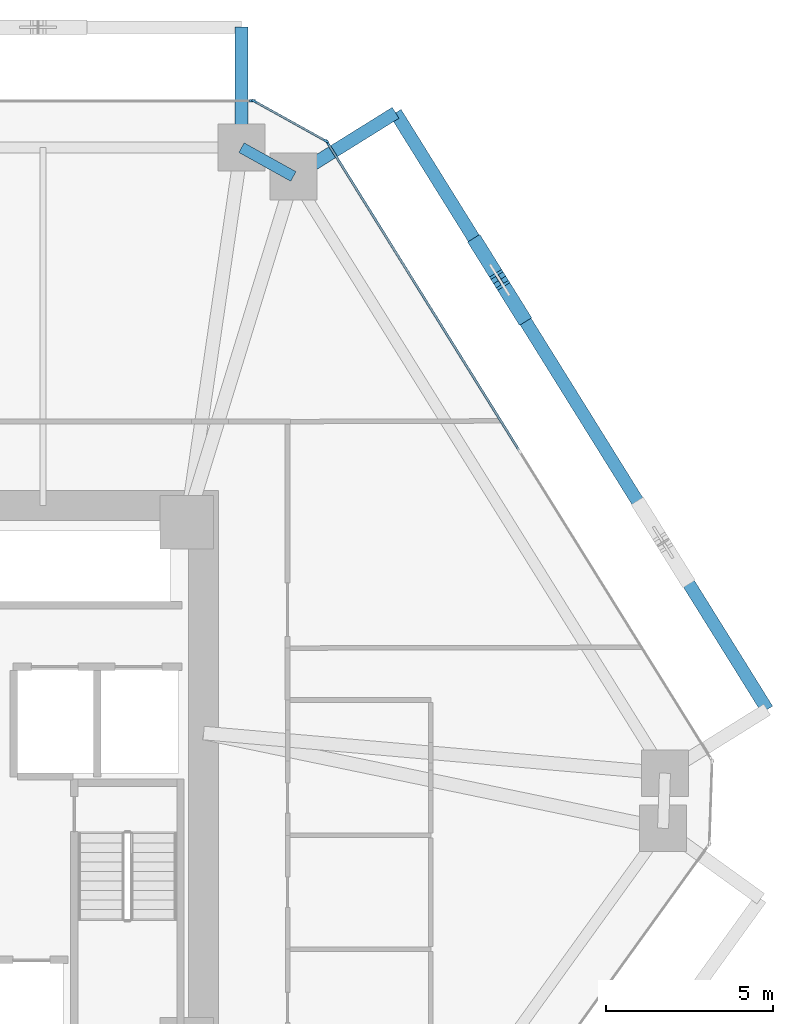
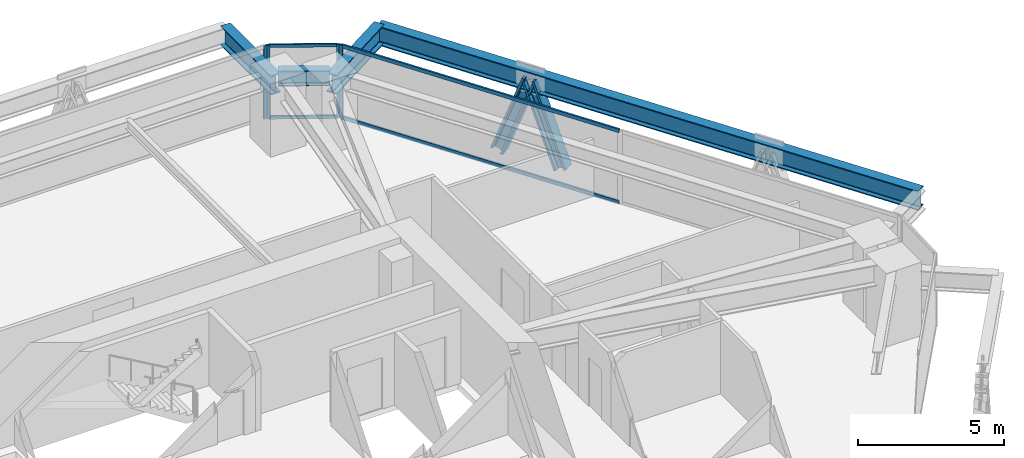
# One storey, part 9 of 16: 10 members, 4 beams, 3 elements without a shape of their own.
"""IFC4 building model written with IfcOpenShell, lengths in metres."""

from ifc_helpers import new_model, si_unit, direction, frame, origin, origin_2d, place, context, subcontext, project, spatial, rectangle, i_section, extrude, source, transform, mapped, material, layer, layer_set, material_profile, profile_set, type_object, type_shapes, element, aggregate, save


model = new_model("IFC4")

# Units and contexts
model_context = context("Model", 3, precision=1e-05, world=origin(), true_north=direction((0.0, 1.0)))
body_context = subcontext(model_context, "Body", "Model", "MODEL_VIEW")
ifc_project = project(units=[si_unit("LENGTHUNIT", "METRE"), si_unit("AREAUNIT", "SQUARE_METRE"), si_unit("VOLUMEUNIT", "CUBIC_METRE"), si_unit("PLANEANGLEUNIT", "RADIAN"), si_unit("MASSUNIT", "GRAM", prefix="KILO")], contexts=[model_context])

# Site, building, storey
site_placement = place(None, origin())
site = spatial("IfcSite", under=ifc_project, at=site_placement, CompositionType="ELEMENT")
building_placement = place(site_placement, origin())
building = spatial("IfcBuilding", under=site, at=building_placement, Name="Durnholm Broadcast Tower", CompositionType="ELEMENT")
storey_placement = place(building_placement, frame((0.0, 0.0, 65.39990234375)))
storey = spatial("IfcBuildingStorey", under=building, at=storey_placement, Name="L16", CompositionType="ELEMENT", Elevation=65.39990234375)

# Beams
ifc_material_1 = material(Name="Steel ASTM A992 Grade 50", Category="steel")
ifc_material_profile_1 = material_profile(ifc_material_1, i_section(OverallWidth=0.3291015625, OverallDepth=0.635009765625, WebThickness=0.017822265625, FlangeThickness=0.031005859375, FilletRadius=0.02783203125, at=origin_2d()), Name="W24X162")
ifc_profile_set_1 = profile_set([ifc_material_profile_1], Name="Steel ASTM A992 Grade 50")
beam_type_1 = type_object("IfcBeamType", Name="STL-SP-W24X162", PredefinedType="SPANDREL", material=ifc_profile_set_1)
shared_shape_1 = source(origin(), body_context, "Body", "SweptSolid", [
    extrude(i_section(OverallWidth=0.3291015625, OverallDepth=0.635009765625, WebThickness=0.017822265625, FlangeThickness=0.031005859375, FilletRadius=0.02783203125, at=origin_2d()), origin(), (0.0, 0.0, 1.0), 1.774658203125),
])
type_shapes(beam_type_1, [shared_shape_1])
beam_1_placement = place(storey_placement, frame((11.43115234375, 19.0, 2.7275390625), z_axis=(0.874248107979, -0.485479397806, 0.0), x_axis=(0.485479397806, 0.874248107979, 0.0)))
element("IfcBeam", 1, at=beam_1_placement, inside=storey, type_object=beam_type_1, Name="L16 perimeter spandrel girder 06", PredefinedType="SPANDREL", context=body_context, shape_type="MappedRepresentation", body=[
    mapped(shared_shape_1, transform((0.0, 0.0, 0.0), x_axis=(1.0, 0.0, 0.0), y_axis=(0.0, 1.0, 0.0), z_axis=(0.0, 0.0, 1.0), scale=1.0)),
])
ifc_material_profile_2 = material_profile(ifc_material_1, i_section(OverallWidth=0.385009765625, OverallDepth=0.802978515625, WebThickness=0.023681640625, FlangeThickness=0.0419921875, FilletRadius=0.032958984375, at=origin_2d()), Name="W30X261")
ifc_profile_set_2 = profile_set([ifc_material_profile_2], Name="Steel ASTM A992 Grade 50")
beam_type_2 = type_object("IfcBeamType", Name="BM-EXO-TIE", PredefinedType="USERDEFINED", material=ifc_profile_set_2)
shared_shape_2 = source(origin(), body_context, "Body", "SweptSolid", [
    extrude(i_section(OverallWidth=0.385009765625, OverallDepth=0.802978515625, WebThickness=0.023681640625, FlangeThickness=0.0419921875, FilletRadius=0.032958984375, at=origin_2d()), origin(), (0.0, 0.0, 1.0), 3.4560546875),
])
for number, where, z_axis, x_axis, name in (
    (2, (13.10498046875, 18.214599609375, 2.30859375), (0.848854443891, 0.528626648105, 0.0), (-0.528626648105, 0.848854443891, 0.0), "L16 exoskeleton stand-off tie bracket F3.2"),
    (3, (11.43115234375, 19.14404296875, 2.30859375), (0.0, 1.0, 0.0), (-1.0, 0.0, 0.0), "L16 exoskeleton stand-off tie bracket F4.1"),
):
    element("IfcBeam", number, at=place(storey_placement, frame(where, z_axis=z_axis, x_axis=x_axis)), inside=storey, type_object=beam_type_2, Name=name, ObjectType="GIRDER", PredefinedType="USERDEFINED", context=body_context, shape_type="MappedRepresentation", body=[
        mapped(shared_shape_2, transform((0.0, 0.0, 0.0), x_axis=(1.0, 0.0, 0.0), y_axis=(0.0, 1.0, 0.0), z_axis=(0.0, 0.0, 1.0), scale=1.0)),
    ])
shared_shape_3 = source(origin(), body_context, "Body", "SweptSolid", [
    extrude(i_section(OverallWidth=0.385009765625, OverallDepth=0.802978515625, WebThickness=0.023681640625, FlangeThickness=0.0419921875, FilletRadius=0.032958984375, at=origin_2d()), origin(), (0.0, 0.0, 1.0), 21.0146484375),
])
type_shapes(beam_type_2, [shared_shape_2, shared_shape_3])
beam_2_placement = place(storey_placement, frame((27.146728515625, 2.20263671875, 2.30859375), z_axis=(-0.528590518575, 0.848876942597, 0.0), x_axis=(-0.848876942597, -0.528590518575, 0.0)))
element("IfcBeam", 4, at=beam_2_placement, inside=storey, type_object=beam_type_2, Name="L16 exoskeleton collector spandrel F3", PredefinedType="SPANDREL", context=body_context, shape_type="MappedRepresentation", body=[
    mapped(shared_shape_3, transform((0.0, 0.0, 0.0), x_axis=(1.0, 0.0, 0.0), y_axis=(0.0, 1.0, 0.0), z_axis=(0.0, 0.0, 1.0), scale=1.0)),
])

# Members
ifc_material_2 = material(Name="Steel ASTM A913 Grade 65", Category="steel")
ifc_material_profile_3 = material_profile(ifc_material_2, i_section(OverallWidth=0.43212890625, OverallDepth=0.497802734375, WebThickness=0.0556640625, FlangeThickness=0.0888671875, FilletRadius=0.030517578125, at=origin_2d()), Name="W14X500")
ifc_profile_set_3 = profile_set([ifc_material_profile_3], Name="Steel ASTM A913 Grade 65")
member_type_1 = type_object("IfcMemberType", Name="STL-DG-W14X500", PredefinedType="BRACE", material=ifc_profile_set_3)
shared_shape_4 = source(origin(), body_context, "Body", "SweptSolid", [
    extrude(i_section(OverallWidth=0.43212890625, OverallDepth=0.497802734375, WebThickness=0.0556640625, FlangeThickness=0.0888671875, FilletRadius=0.030517578125, at=origin_2d()), origin(), (0.0, 0.0, 1.0), 3.52294921875),
])
type_shapes(member_type_1, [shared_shape_4])
for number, where, z_axis, x_axis, name in (
    (5, (19.801025390625, 13.9990234375, -0.9912109375), (-0.185102397695, 0.297300369192, 0.936669414919), (-0.848908635391, -0.528539618911, 0.0), "L16 stand-off diagrid brace F3.D2.1"),
    (6, (18.496826171875, 16.09375, -0.9912109375), (0.185102397695, -0.297300369192, 0.936669414919), (0.848908635391, 0.528539618911, 0.0), "L16 stand-off diagrid brace F3.D2.2"),
):
    element("IfcMember", number, at=place(storey_placement, frame(where, z_axis=z_axis, x_axis=x_axis)), inside=storey, type_object=member_type_1, Name=name, PredefinedType="BRACE", context=body_context, shape_type="MappedRepresentation", body=[
        mapped(shared_shape_4, transform((0.0, 0.0, 0.0), x_axis=(1.0, 0.0, 0.0), y_axis=(0.0, 1.0, 0.0), z_axis=(0.0, 0.0, 1.0), scale=1.0)),
    ])

# Curtain wall, members
ifc_material_3 = material(Name="Aluminium and Solar Control IGU", Category="aluminium")
ifc_layer_1 = layer(ifc_material_3, 0.1650390625)
ifc_layer_set_1 = layer_set([ifc_layer_1], Name="Aluminium and Solar Control IGU")
curtain_wall_type_1 = type_object("IfcCurtainWallType", Name="CW-SYS-5", PredefinedType="NOTDEFINED", material=ifc_layer_set_1)
curtain_wall_1_placement = place(storey_placement, origin())
curtain_wall_1 = element("IfcCurtainWall", 7, at=curtain_wall_1_placement, inside=storey, type_object=curtain_wall_type_1, Name="L16 curtain wall CW-CORNER CW-L16-CRN-05", PredefinedType="NOTDEFINED")
ifc_material_4 = material(Name="Aluminium 6063-T6", Category="aluminium")
ifc_material_profile_4 = material_profile(ifc_material_4, rectangle(XDim=0.06494140625, YDim=0.1650390625, at=origin_2d()), Name="CWM65X165")
ifc_profile_set_4 = profile_set([ifc_material_profile_4], Name="Aluminium 6063-T6")
member_type_2 = type_object("IfcMemberType", Name="CW-SYS-5-MUL", PredefinedType="MULLION", material=ifc_profile_set_4)
shared_shape_5 = source(origin(), body_context, "Body", "SweptSolid", [
    extrude(rectangle(XDim=0.06494140625, YDim=0.1650390625, at=origin_2d()), origin(), (0.0, 0.0, 1.0), 3.06005859375),
])
type_shapes(member_type_2, [shared_shape_5])
member_1_placement = place(storey_placement, frame((11.822265625, 20.38427734375, 0.0), z_axis=(0.0, 0.0, 1.0), x_axis=(0.485483299359, 0.874245941394, 0.0)))
member_1 = element("IfcMember", 8, at=member_1_placement, type_object=member_type_2, Name="CW-CORNER mullion 1", PredefinedType="MULLION", context=body_context, shape_type="MappedRepresentation", body=[
    mapped(shared_shape_5, transform((0.0, 0.0, 0.0), x_axis=(1.0, 0.0, 0.0), y_axis=(0.0, 1.0, 0.0), z_axis=(0.0, 0.0, 1.0), scale=1.0)),
])
member_2_placement = place(storey_placement, frame((13.950927734375, 19.2021484375, 0.0), z_axis=(0.0, 0.0, 1.0), x_axis=(0.485483299359, 0.874245941394, 0.0)))
member_2 = element("IfcMember", 9, at=member_2_placement, type_object=member_type_2, Name="CW-CORNER mullion 2", PredefinedType="MULLION", context=body_context, shape_type="MappedRepresentation", body=[
    mapped(shared_shape_5, transform((0.0, 0.0, 0.0), x_axis=(1.0, 0.0, 0.0), y_axis=(0.0, 1.0, 0.0), z_axis=(0.0, 0.0, 1.0), scale=1.0)),
])
ifc_material_profile_5 = material_profile(ifc_material_4, rectangle(XDim=0.06494140625, YDim=0.1298828125, at=origin_2d()), Name="CWT65X130")
ifc_profile_set_5 = profile_set([ifc_material_profile_5], Name="Aluminium 6063-T6")
member_type_3 = type_object("IfcMemberType", Name="CW-SYS-5-TRN", PredefinedType="USERDEFINED", material=ifc_profile_set_5)
shared_shape_6 = source(origin(), body_context, "Body", "SweptSolid", [
    extrude(rectangle(XDim=0.06494140625, YDim=0.1298828125, at=origin_2d()), origin(), (0.0, 0.0, 1.0), 2.3701171875),
])
type_shapes(member_type_3, [shared_shape_6])
member_3_placement = place(storey_placement, frame((11.8505859375, 20.368408203125, 0.03271484375), z_axis=(0.874244723151, -0.485485493132, 0.0), x_axis=(0.485485493132, 0.874244723151, 0.0)))
member_3 = element("IfcMember", 10, at=member_3_placement, type_object=member_type_3, Name="CW-CORNER transom 1.1", ObjectType="TRANSOM", PredefinedType="USERDEFINED", context=body_context, shape_type="MappedRepresentation", body=[
    mapped(shared_shape_6, transform((0.0, 0.0, 0.0), x_axis=(1.0, 0.0, 0.0), y_axis=(0.0, 1.0, 0.0), z_axis=(0.0, 0.0, 1.0), scale=1.0)),
])
member_4_placement = place(storey_placement, frame((11.8505859375, 20.368408203125, 3.027587890625), z_axis=(0.874244723151, -0.485485493132, 0.0), x_axis=(0.485485493132, 0.874244723151, 0.0)))
member_4 = element("IfcMember", 11, at=member_4_placement, type_object=member_type_3, Name="CW-CORNER transom 1.2", ObjectType="TRANSOM", PredefinedType="USERDEFINED", context=body_context, shape_type="MappedRepresentation", body=[
    mapped(shared_shape_6, transform((0.0, 0.0, 0.0), x_axis=(1.0, 0.0, 0.0), y_axis=(0.0, 1.0, 0.0), z_axis=(0.0, 0.0, 1.0), scale=1.0)),
])
aggregate(curtain_wall_1, [member_1, member_2, member_3, member_4])

# Curtain wall, member
ifc_layer_2 = layer(ifc_material_3, 0.18994140625)
ifc_layer_set_2 = layer_set([ifc_layer_2], Name="Aluminium and Solar Control IGU")
curtain_wall_type_2 = type_object("IfcCurtainWallType", Name="CW-SYS-3", PredefinedType="NOTDEFINED", material=ifc_layer_set_2)
curtain_wall_2_placement = place(storey_placement, origin())
curtain_wall_2 = element("IfcCurtainWall", 12, at=curtain_wall_2_placement, inside=storey, type_object=curtain_wall_type_2, Name="L16 curtain wall CW-Z12-VIS CW-L16-F04", PredefinedType="NOTDEFINED")
ifc_material_profile_6 = material_profile(ifc_material_4, rectangle(XDim=0.070068359375, YDim=0.18994140625, at=origin_2d()), Name="CWM70X190")
ifc_profile_set_6 = profile_set([ifc_material_profile_6], Name="Aluminium 6063-T6")
member_type_4 = type_object("IfcMemberType", Name="CW-SYS-3-MUL", PredefinedType="MULLION", material=ifc_profile_set_6)
shared_shape_7 = source(origin(), body_context, "Body", "SweptSolid", [
    extrude(rectangle(XDim=0.070068359375, YDim=0.18994140625, at=origin_2d()), origin(), (0.0, 0.0, 1.0), 3.06005859375),
])
type_shapes(member_type_4, [shared_shape_7])
member_5_placement = place(storey_placement, frame((11.7587890625, 20.39990234375, 0.0), z_axis=(0.0, 0.0, 1.0), x_axis=(0.0, 1.0, 0.0)))
member_5 = element("IfcMember", 13, at=member_5_placement, type_object=member_type_4, Name="CW-Z12-VIS mullion 3", PredefinedType="MULLION", context=body_context, shape_type="MappedRepresentation", body=[
    mapped(shared_shape_7, transform((0.0, 0.0, 0.0), x_axis=(1.0, 0.0, 0.0), y_axis=(0.0, 1.0, 0.0), z_axis=(0.0, 0.0, 1.0), scale=1.0)),
])
aggregate(curtain_wall_2, [member_5])

# Curtain wall, members
curtain_wall_3_placement = place(storey_placement, origin())
curtain_wall_3 = element("IfcCurtainWall", 14, at=curtain_wall_3_placement, inside=storey, type_object=curtain_wall_type_2, Name="L16 curtain wall CW-Z12-VIS CW-L16-F06", PredefinedType="NOTDEFINED")
member_6_placement = place(storey_placement, frame((13.997802734375, 19.156494140625, 0.0), z_axis=(0.0, 0.0, 1.0), x_axis=(0.848875785503, 0.528592376777, 0.0)))
member_6 = element("IfcMember", 15, at=member_6_placement, type_object=member_type_4, Name="CW-Z12-VIS mullion 1", PredefinedType="MULLION", context=body_context, shape_type="MappedRepresentation", body=[
    mapped(shared_shape_7, transform((0.0, 0.0, 0.0), x_axis=(1.0, 0.0, 0.0), y_axis=(0.0, 1.0, 0.0), z_axis=(0.0, 0.0, 1.0), scale=1.0)),
])
ifc_material_profile_7 = material_profile(ifc_material_4, rectangle(XDim=0.070068359375, YDim=0.14990234375, at=origin_2d()), Name="CWT70X150")
ifc_profile_set_7 = profile_set([ifc_material_profile_7], Name="Aluminium 6063-T6")
member_type_5 = type_object("IfcMemberType", Name="CW-SYS-3-TRN", PredefinedType="USERDEFINED", material=ifc_profile_set_7)
shared_shape_8 = source(origin(), body_context, "Body", "SweptSolid", [
    extrude(rectangle(XDim=0.070068359375, YDim=0.14990234375, at=origin_2d()), origin(), (0.0, 0.0, 1.0), 10.796630859375),
])
type_shapes(member_type_5, [shared_shape_8])
member_7_placement = place(storey_placement, frame((14.016357421875, 19.126953125, 0.03515625), z_axis=(0.528591657678, -0.848876233283, 0.0), x_axis=(0.848876233283, 0.528591657678, 0.0)))
member_7 = element("IfcMember", 16, at=member_7_placement, type_object=member_type_5, Name="CW-Z12-VIS transom 1.1", ObjectType="TRANSOM", PredefinedType="USERDEFINED", context=body_context, shape_type="MappedRepresentation", body=[
    mapped(shared_shape_8, transform((0.0, 0.0, 0.0), x_axis=(1.0, 0.0, 0.0), y_axis=(0.0, 1.0, 0.0), z_axis=(0.0, 0.0, 1.0), scale=1.0)),
])
member_8_placement = place(storey_placement, frame((14.016357421875, 19.126953125, 3.025146484375), z_axis=(0.528591657678, -0.848876233283, 0.0), x_axis=(0.848876233283, 0.528591657678, 0.0)))
member_8 = element("IfcMember", 17, at=member_8_placement, type_object=member_type_5, Name="CW-Z12-VIS transom 1.2", ObjectType="TRANSOM", PredefinedType="USERDEFINED", context=body_context, shape_type="MappedRepresentation", body=[
    mapped(shared_shape_8, transform((0.0, 0.0, 0.0), x_axis=(1.0, 0.0, 0.0), y_axis=(0.0, 1.0, 0.0), z_axis=(0.0, 0.0, 1.0), scale=1.0)),
])
aggregate(curtain_wall_3, [member_6, member_7, member_8])

save(model, "model.ifc")
